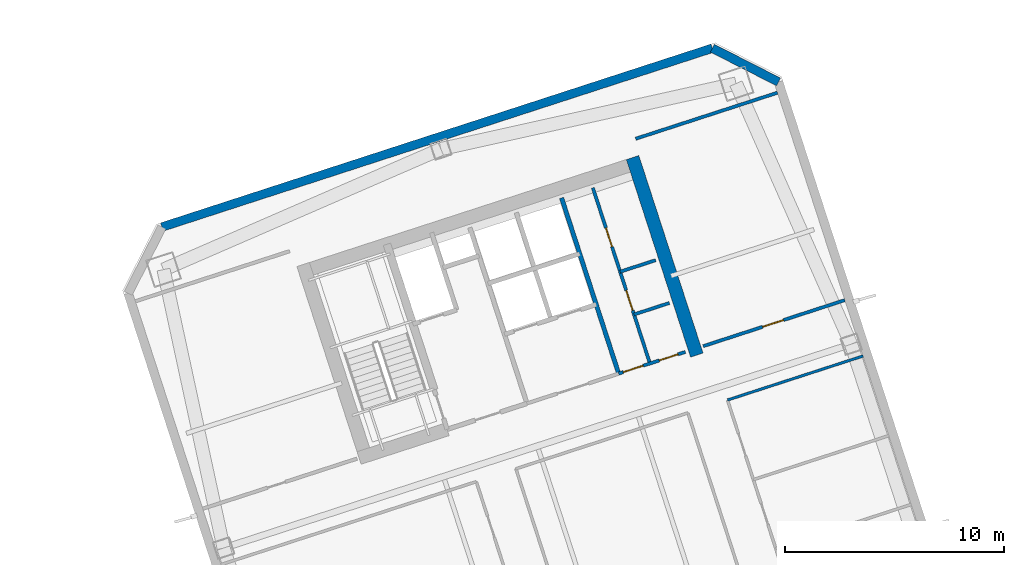
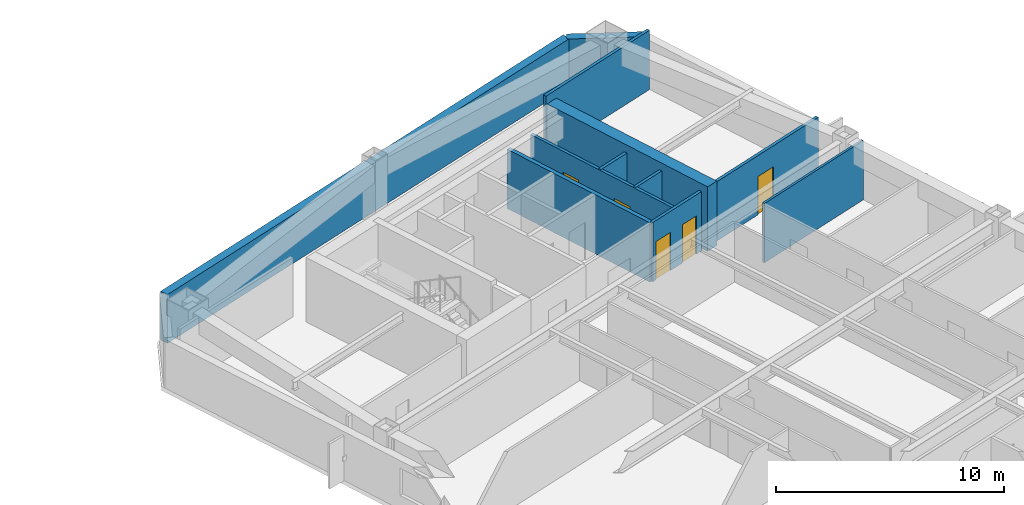
# One storey, part 10 of 17: 11 walls, 5 doors, 5 openings.
"""IFC4 building model written with IfcOpenShell, lengths in metres."""

import ifcopenshell
import ifcopenshell.guid

model = None  # the IFC model being written
_history = None  # IfcOwnerHistory: only IFC2X3 demands one
_inside = {}  # id of a spatial element -> (the spatial element, [elements in it])
_under = {}  # id of a project, library or spatial element -> (it, [spatial elements below it])
_declared = {}  # id of a project -> (the project, [libraries it declares])
_typed = {}  # id of a type object -> (the type object, [elements of that type])
_made_of = {}  # id of a material, layer set ... -> (it, [elements and type objects made of it])


def new_model(schema):
    """Start an empty IFC model of exactly this schema.

    Asked for "IFC4X3", IfcOpenShell would pick the latest addendum, in which some entities
    have other attributes; the version numbers below select the first issue.
    IFC2X3 requires an IfcOwnerHistory on every rooted entity: one is made here for all.
    """
    global model, _history
    if schema == "IFC4X3":
        model = ifcopenshell.file(schema_version=(4, 3, 0, 0))
    else:
        model = ifcopenshell.file(schema=schema)
    _inside.clear()
    _under.clear()
    _declared.clear()
    _typed.clear()
    _made_of.clear()
    _history = None
    if model.schema == "IFC2X3":
        org = make("IfcOrganization", Name="unknown")
        user = make(
            "IfcPersonAndOrganization",
            ThePerson=make("IfcPerson", FamilyName="unknown"),
            TheOrganization=org,
        )
        app = make(
            "IfcApplication",
            ApplicationDeveloper=org,
            Version="unknown",
            ApplicationFullName="unknown",
            ApplicationIdentifier="unknown",
        )
        _history = make(
            "IfcOwnerHistory",
            OwningUser=user,
            OwningApplication=app,
            ChangeAction="ADDED",
            CreationDate=0,
        )
    return model


def make(cls, **values):
    """One entity of the class cls with the attributes given. An attribute that is None is left unset."""
    return model.create_entity(
        cls, **{name: value for name, value in values.items() if value is not None}
    )


def rooted(cls, **values):
    """An entity with a GlobalId (a new one), such as an element, a storey or a relation."""
    return make(cls, GlobalId=ifcopenshell.guid.new(), OwnerHistory=_history, **values)


def si_unit(unit_type, name, prefix=None):
    """IfcSIUnit, for example si_unit("LENGTHUNIT", "METRE", prefix="MILLI")."""
    return make("IfcSIUnit", UnitType=unit_type, Prefix=prefix, Name=name)


def assignment(units):
    """IfcUnitAssignment: the units of a project."""
    return None if units is None else make("IfcUnitAssignment", Units=units)


def point(xyz):
    """IfcCartesianPoint."""
    return None if xyz is None else make("IfcCartesianPoint", Coordinates=xyz)


def direction(xyz):
    """IfcDirection."""
    return None if xyz is None else make("IfcDirection", DirectionRatios=xyz)


def frame(location, z_axis=None, x_axis=None):
    """IfcAxis2Placement3D, a coordinate frame: its origin and axes. An axis left out is left unset."""
    return make(
        "IfcAxis2Placement3D",
        Location=point(location),
        Axis=direction(z_axis),
        RefDirection=direction(x_axis),
    )


def frame_2d(location, x_axis=None):
    """IfcAxis2Placement2D, a coordinate frame in the plane: its origin and x axis."""
    return make(
        "IfcAxis2Placement2D", Location=point(location), RefDirection=direction(x_axis)
    )


def origin():
    """The frame at (0, 0, 0) with its axes left unset."""
    return frame((0.0, 0.0, 0.0))


def place(relative_to, where):
    """IfcLocalPlacement: puts the frame where relative to a parent placement (None: the world)."""
    return make(
        "IfcLocalPlacement", PlacementRelTo=relative_to, RelativePlacement=where
    )


def context(
    kind, dimensions, precision=None, world=None, true_north=None, identifier=None
):
    """IfcGeometricRepresentationContext, for example the 3D "Model" context."""
    return make(
        "IfcGeometricRepresentationContext",
        ContextIdentifier=identifier,
        ContextType=kind,
        CoordinateSpaceDimension=dimensions,
        Precision=precision,
        WorldCoordinateSystem=world,
        TrueNorth=true_north,
    )


def subcontext(parent, identifier, kind, view, scale=None):
    """IfcGeometricRepresentationSubContext, for example "Body" below "Model"."""
    return make(
        "IfcGeometricRepresentationSubContext",
        ContextIdentifier=identifier,
        ContextType=kind,
        ParentContext=parent,
        TargetScale=scale,
        TargetView=view,
    )


def project(units=None, contexts=None):
    """IfcProject with its units and contexts."""
    return rooted(
        "IfcProject",
        Name="project",
        RepresentationContexts=contexts,
        UnitsInContext=assignment(units),
    )


def spatial(cls, under=None, at=None, **own):
    """A site, building, storey or space (cls), placed at a placement, below another one or the project."""
    s = rooted(cls, ObjectPlacement=at, **own)
    if under is not None:
        _under.setdefault(under.id(), (under, []))[1].append(s)
    return s


def profile(cls, at=None, kind="AREA", **sizes):
    """A parametric profile (cls). Its sizes go by their IFC names, for example OverallWidth=200.0."""
    return make(cls, ProfileType=kind, Position=at, **sizes)


def rectangle(**sizes):
    """IfcRectangleProfileDef."""
    return profile("IfcRectangleProfileDef", **sizes)


def extrude(swept, where, along, depth):
    """IfcExtrudedAreaSolid: the profile swept, set in the frame where, extruded along a direction by depth."""
    return make(
        "IfcExtrudedAreaSolid",
        SweptArea=swept,
        Position=where,
        ExtrudedDirection=direction(along),
        Depth=depth,
    )


def shape(context_of_items, identifier, shape_type, items):
    """IfcShapeRepresentation: the items that make up one representation, for example the "Body"."""
    return make(
        "IfcShapeRepresentation",
        ContextOfItems=context_of_items,
        RepresentationIdentifier=identifier,
        RepresentationType=shape_type,
        Items=items,
    )


def material(Name=None, Category=None):
    """IfcMaterial."""
    return make("IfcMaterial", Name=Name, Category=Category)


def layer(
    of_material, thickness, ventilated=None, Name=None, Category=None, Priority=None
):
    """IfcMaterialLayer: one layer of a wall or slab, of a material (None: an air gap)."""
    return make(
        "IfcMaterialLayer",
        Material=of_material,
        LayerThickness=thickness,
        IsVentilated=ventilated,
        Name=Name,
        Category=Category,
        Priority=Priority,
    )


def layer_set(layers, Name=None):
    """IfcMaterialLayerSet."""
    return make("IfcMaterialLayerSet", MaterialLayers=layers, LayerSetName=Name)


def made_of(thing, what):
    """Note that an element or type object is made of a material, layer set ...; save() writes the relation."""
    if what is not None:
        _made_of.setdefault(what.id(), (what, []))[1].append(thing)
    return thing


def type_object(cls, material=None, **own):
    """A type object (cls), such as IfcWallType, which elements share."""
    return made_of(rooted(cls, **own), material)


def element(
    cls,
    number,
    at=None,
    inside=None,
    cuts=None,
    type_object=None,
    material=None,
    context=None,
    identifier="Body",
    shape_type=None,
    held_by="IfcProductDefinitionShape",
    body=None,
    shapes=None,
    **own,
):
    """One element of the class cls, such as IfcWall. Its Tag is "e" and its number.

    at: its placement. inside: the storey or other place that contains it. cuts: it is an
    opening in that element (IfcRelVoidsElement). A single representation is given by context,
    identifier, shape_type and body (its items); several are given by shapes. held_by: the class
    of the entity that holds the representations. save() writes the other relations.
    """
    e = rooted(cls, Tag="e%d" % number, ObjectPlacement=at, **own)
    if body is not None:
        shapes = [shape(context, identifier, shape_type, body)]
    if shapes is not None:
        e.Representation = make(held_by, Representations=shapes)
    if inside is not None:
        _inside.setdefault(inside.id(), (inside, []))[1].append(e)
    if cuts is not None:
        rooted(
            "IfcRelVoidsElement", RelatingBuildingElement=cuts, RelatedOpeningElement=e
        )
    if type_object is not None:
        _typed.setdefault(type_object.id(), (type_object, []))[1].append(e)
    return made_of(e, material)


def fill(opening, filler):
    """IfcRelFillsElement: the door or window that sits in an opening."""
    return rooted(
        "IfcRelFillsElement",
        RelatingOpeningElement=opening,
        RelatedBuildingElement=filler,
    )


def aggregate(whole, parts):
    """IfcRelAggregates: a whole, such as a stair, and the parts it consists of."""
    return rooted("IfcRelAggregates", RelatingObject=whole, RelatedObjects=parts)


def save(model, path):
    """Write the relations noted so far, then the file.

    IfcRelAggregates (storeys below a building ...), IfcRelContainedInSpatialStructure (elements
    in a storey), IfcRelDefinesByType, IfcRelAssociatesMaterial and IfcRelDeclares: one each for
    every whole, place, type object, material and project.
    """
    for whole, parts in _under.values():
        aggregate(whole, parts)
    for where, things in _inside.values():
        rooted(
            "IfcRelContainedInSpatialStructure",
            RelatedElements=things,
            RelatingStructure=where,
        )
    for kind, things in _typed.values():
        rooted("IfcRelDefinesByType", RelatedObjects=things, RelatingType=kind)
    for what, things in _made_of.values():
        rooted("IfcRelAssociatesMaterial", RelatedObjects=things, RelatingMaterial=what)
    for by, libraries in _declared.values():
        rooted("IfcRelDeclares", RelatingContext=by, RelatedDefinitions=libraries)
    model.write(path)


model = new_model("IFC4")

# Units and contexts
model_context = context("Model", 3, precision=1e-05, world=origin(), true_north=direction((0.0, 1.0)))
body_context = subcontext(model_context, "Body", "Model", "MODEL_VIEW")
ifc_project = project(units=[si_unit("LENGTHUNIT", "METRE"), si_unit("AREAUNIT", "SQUARE_METRE"), si_unit("VOLUMEUNIT", "CUBIC_METRE"), si_unit("PLANEANGLEUNIT", "RADIAN"), si_unit("MASSUNIT", "GRAM", prefix="KILO")], contexts=[model_context])

# Site, building, storey
site_placement = place(None, origin())
site = spatial("IfcSite", under=ifc_project, at=site_placement, CompositionType="ELEMENT")
building_placement = place(site_placement, origin())
building = spatial("IfcBuilding", under=site, at=building_placement, Name="Qiaolan Cultural Towers", CompositionType="ELEMENT")
storey_placement = place(building_placement, frame((0.0, 0.0, 152.949951171875)))
storey = spatial("IfcBuildingStorey", under=building, at=storey_placement, Name="L40", CompositionType="ELEMENT", Elevation=152.949951171875)

# Walls
ifc_material_1 = material(Name="Concrete C55", Category="concrete")
ifc_layer_1 = layer(ifc_material_1, 0.60009765625)
ifc_layer_set_1 = layer_set([ifc_layer_1], Name="Concrete C55")
wall_type_1 = type_object("IfcWallType", Name="WL-CORE-600", PredefinedType="SHEAR", material=ifc_layer_set_1)
wall_1_placement = place(storey_placement, frame((94.4921875, 46.710205078125, 0.0), z_axis=(0.0, 0.0, 1.0), x_axis=(-0.309010370028, 0.95105866865, 0.0)))
element("IfcWall", 1, at=wall_1_placement, inside=storey, type_object=wall_type_1, Name="L40 T2-CN East Core Shear Wall", PredefinedType="SHEAR", context=body_context, shape_type="SweptSolid", body=[
    extrude(rectangle(XDim=9.47998046875, YDim=0.60009765625, at=frame_2d((4.739990234375, 0.0))), origin(), (0.0, 0.0, 1.0), 3.449951171875),
])
ifc_material_2 = material(Name="Precast Concrete C50 Honed Stone Pier", Category="masonry")
ifc_layer_2 = layer(ifc_material_2, 0.39990234375)
ifc_layer_set_2 = layer_set([ifc_layer_2], Name="Precast Concrete C50 Honed Stone Pier")
wall_type_2 = type_object("IfcWallType", Name="WL-EXT-PIER-400", PredefinedType="SOLIDWALL", material=ifc_layer_set_2)
wall_2_placement = place(storey_placement, frame((70.091552734375, 52.55615234375, 0.0), z_axis=(0.0, 0.0, 1.0), x_axis=(0.951057580055, 0.30901372044, 0.0)))
element("IfcWall", 2, at=wall_2_placement, inside=storey, type_object=wall_type_2, Name="L40 East Tower Precast Pier Facade Wall F3", PredefinedType="SOLIDWALL", context=body_context, shape_type="SweptSolid", body=[
    extrude(rectangle(XDim=26.39990234375, YDim=0.39990234375, at=frame_2d((13.199951171875, 0.0))), origin(), (0.0, 0.0, 1.0), 2.610107421875),
])
wall_3_placement = place(storey_placement, frame((95.199462890625, 60.714111328125, 0.0), z_axis=(0.0, 0.0, 1.0), x_axis=(0.891020832027, -0.453962417932, 0.0)))
element("IfcWall", 3, at=wall_3_placement, inside=storey, type_object=wall_type_2, Name="L40 East Tower Precast Pier Facade Wall F4", PredefinedType="SOLIDWALL", context=body_context, shape_type="SweptSolid", body=[
    extrude(rectangle(XDim=3.39404296875, YDim=0.39990234375, at=frame_2d((1.697021484375, 0.0))), origin(), (0.0, 0.0, 1.0), 2.610107421875),
])
ifc_material_3 = material(Name="Concrete C35 Fire Wall", Category="concrete")
ifc_layer_3 = layer(ifc_material_3, 0.199951171875)
ifc_layer_set_3 = layer_set([ifc_layer_3], Name="Concrete C35 Fire Wall")
wall_type_3 = type_object("IfcWallType", Name="WL-FIRE-200", PredefinedType="PARTITIONING", material=ifc_layer_set_3)
wall_4_placement = place(storey_placement, frame((90.92822265625, 45.86767578125, 0.0), z_axis=(0.0, 0.0, 1.0), x_axis=(-0.309042196757, 0.951048327176, 0.0)))
element("IfcWall", 4, at=wall_4_placement, inside=storey, type_object=wall_type_3, Name="L40 T2-CN Lift Core East Wall", PredefinedType="PARTITIONING", context=body_context, shape_type="SweptSolid", body=[
    extrude(rectangle(XDim=8.429931640625, YDim=0.199951171875, at=frame_2d((4.21484375, 0.0))), origin(), (0.0, 0.0, 1.0), 3.175048828125),
])
ifc_material_4 = material(Name="Gypsum Stud Acoustic Partition", Category="gypsum")
ifc_layer_4 = layer(ifc_material_4, 0.1201171875)
ifc_layer_set_4 = layer_set([ifc_layer_4], Name="Gypsum Stud Acoustic Partition")
wall_type_4 = type_object("IfcWallType", Name="WL-PART-120", PredefinedType="PARTITIONING", material=ifc_layer_set_4)
wall_5_placement = place(storey_placement, frame((95.893310546875, 44.6630859375, 0.0), z_axis=(0.0, 0.0, 1.0), x_axis=(0.951059735424, 0.30900708674, 0.0)))
element("IfcWall", 5, at=wall_5_placement, inside=storey, type_object=wall_type_4, Name="L40 T2 Interior Wall", PredefinedType="PARTITIONING", context=body_context, shape_type="SweptSolid", body=[
    extrude(rectangle(XDim=6.5, YDim=0.1201171875, at=frame_2d((3.25, 0.0))), origin(), (0.0, 0.0, 1.0), 3.175048828125),
])

# Wall, openings, doors
ifc_material_5 = material(Name="Autoclaved Aerated Concrete Block B06", Category="concrete")
ifc_layer_5 = layer(ifc_material_5, 0.14990234375)
ifc_layer_set_5 = layer_set([ifc_layer_5], Name="Autoclaved Aerated Concrete Block B06")
wall_type_5 = type_object("IfcWallType", Name="WL-PART-150", PredefinedType="PARTITIONING", material=ifc_layer_set_5)
wall_6_placement = place(storey_placement, frame((90.92822265625, 45.86767578125, 0.0), z_axis=(0.0, 0.0, 1.0), x_axis=(0.951059297078, 0.309008435874, 0.0)))
wall_6 = element("IfcWall", 6, at=wall_6_placement, inside=storey, type_object=wall_type_5, Name="L40 T2-CN Sanitary Core Front Wall", PredefinedType="PARTITIONING", context=body_context, shape_type="SweptSolid", body=[
    extrude(rectangle(XDim=3.19970703125, YDim=0.14990234375, at=frame_2d((1.599853515625, 0.0))), origin(), (0.0, 0.0, 1.0), 3.175048828125),
])
opening_1_placement = place(wall_6_placement, frame((0.219970703125, 0.0, 0.0)))
opening_1 = element("IfcOpeningElement", 7, at=opening_1_placement, cuts=wall_6, Name="Opening ID-05", PredefinedType="OPENING", context=body_context, shape_type="SweptSolid", body=[
    extrude(rectangle(XDim=0.949951171875, YDim=2.050048828125, at=frame_2d((0.47509765625, 1.02490234375))), frame((0.0, 0.0849609375, 0.0), z_axis=(0.0, -1.0, 0.0), x_axis=(1.0, 0.0, 0.0)), (0.0, 0.0, 1.0), 0.169921875),
])
opening_2_placement = place(wall_6_placement, frame((1.949951171875, 0.0, 0.0)))
opening_2 = element("IfcOpeningElement", 8, at=opening_2_placement, cuts=wall_6, Name="Opening ID-06", PredefinedType="OPENING", context=body_context, shape_type="SweptSolid", body=[
    extrude(rectangle(XDim=0.89990234375, YDim=2.050048828125, at=frame_2d((0.449951171875, 1.02490234375))), frame((0.0, 0.0849609375, 0.0), z_axis=(0.0, -1.0, 0.0), x_axis=(1.0, 0.0, 0.0)), (0.0, 0.0, 1.0), 0.169921875),
])
ifc_material_6 = material(Name="Fire-Rated Laminate Core Service Door", Category="timber")
door_type_1 = type_object("IfcDoorType", Name="DR-INT-900", OperationType="NOTDEFINED", PredefinedType="DOOR", material=ifc_material_6)
door_1_placement = place(opening_2_placement, origin())
door_1 = element("IfcDoor", 9, at=door_1_placement, inside=storey, type_object=door_type_1, Name="L40 Core Tea Pantry Door", OperationType="SINGLE_SWING_RIGHT", OverallHeight=2.050048828125, OverallWidth=0.89990234375, PredefinedType="DOOR", context=body_context, shape_type="SweptSolid", body=[
    extrude(rectangle(XDim=0.89990234375, YDim=2.050048828125, at=frame_2d((0.449951171875, 1.02490234375))), frame((0.0, 0.02490234375, 0.0), z_axis=(0.0, -1.0, 0.0), x_axis=(1.0, 0.0, 0.0)), (0.0, 0.0, 1.0), 0.050048828125),
])
fill(opening_2, door_1)
ifc_material_7 = material(Name="Fire-Rated Laminate Accessible Core Door", Category="timber")
door_type_2 = type_object("IfcDoorType", Name="DR-INT-950", OperationType="NOTDEFINED", PredefinedType="DOOR", material=ifc_material_7)
door_2_placement = place(opening_1_placement, origin())
door_2 = element("IfcDoor", 10, at=door_2_placement, inside=storey, type_object=door_type_2, Name="L40 Sanitary Passage Door", OperationType="SINGLE_SWING_LEFT", OverallHeight=2.050048828125, OverallWidth=0.949951171875, PredefinedType="DOOR", context=body_context, shape_type="SweptSolid", body=[
    extrude(rectangle(XDim=0.949951171875, YDim=2.050048828125, at=frame_2d((0.47509765625, 1.02490234375))), frame((0.0, 0.02490234375, 0.0), z_axis=(0.0, -1.0, 0.0), x_axis=(1.0, 0.0, 0.0)), (0.0, 0.0, 1.0), 0.050048828125),
])
fill(opening_1, door_2)

wall_7_placement = place(storey_placement, frame((92.354736328125, 46.3310546875, 0.0), z_axis=(0.0, 0.0, 1.0), x_axis=(-0.309007490203, 0.951059604335, 0.0)))
wall_7 = element("IfcWall", 11, at=wall_7_placement, inside=storey, type_object=wall_type_5, Name="L40 T2-CN Sanitary Corridor Wall", PredefinedType="PARTITIONING", context=body_context, shape_type="SweptSolid", body=[
    extrude(rectangle(XDim=8.43017578125, YDim=0.14990234375, at=frame_2d((4.215087890625, 0.0))), origin(), (0.0, 0.0, 1.0), 3.175048828125),
])
opening_3_placement = place(wall_7_placement, frame((2.550048828125, 0.0, 0.0)))
opening_3 = element("IfcOpeningElement", 12, at=opening_3_placement, cuts=wall_7, Name="Opening ID-05", PredefinedType="OPENING", context=body_context, shape_type="SweptSolid", body=[
    extrude(rectangle(XDim=0.949951171875, YDim=2.050048828125, at=frame_2d((0.47509765625, 1.02490234375))), frame((0.0, 0.0849609375, 0.0), z_axis=(0.0, -1.0, 0.0), x_axis=(1.0, 0.0, 0.0)), (0.0, 0.0, 1.0), 0.169921875),
])
opening_4_placement = place(wall_7_placement, frame((5.60009765625, 0.0, 0.0)))
opening_4 = element("IfcOpeningElement", 13, at=opening_4_placement, cuts=wall_7, Name="Opening ID-06", PredefinedType="OPENING", context=body_context, shape_type="SweptSolid", body=[
    extrude(rectangle(XDim=0.89990234375, YDim=2.050048828125, at=frame_2d((0.449951171875, 1.02490234375))), frame((0.0, 0.0849609375, 0.0), z_axis=(0.0, -1.0, 0.0), x_axis=(1.0, 0.0, 0.0)), (0.0, 0.0, 1.0), 0.169921875),
])
door_3_placement = place(opening_4_placement, origin())
door_3 = element("IfcDoor", 14, at=door_3_placement, inside=storey, type_object=door_type_1, Name="L40 Staff Restroom Door", OperationType="SINGLE_SWING_RIGHT", OverallHeight=2.050048828125, OverallWidth=0.89990234375, PredefinedType="DOOR", context=body_context, shape_type="SweptSolid", body=[
    extrude(rectangle(XDim=0.89990234375, YDim=2.050048828125, at=frame_2d((0.449951171875, 1.02490234375))), frame((0.0, 0.02490234375, 0.0), z_axis=(0.0, -1.0, 0.0), x_axis=(1.0, 0.0, 0.0)), (0.0, 0.0, 1.0), 0.050048828125),
])
fill(opening_4, door_3)
door_4_placement = place(opening_3_placement, origin())
door_4 = element("IfcDoor", 15, at=door_4_placement, inside=storey, type_object=door_type_2, Name="L40 Accessible Washroom Door", OperationType="SINGLE_SWING_LEFT", OverallHeight=2.050048828125, OverallWidth=0.949951171875, PredefinedType="DOOR", context=body_context, shape_type="SweptSolid", body=[
    extrude(rectangle(XDim=0.949951171875, YDim=2.050048828125, at=frame_2d((0.47509765625, 1.02490234375))), frame((0.0, 0.02490234375, 0.0), z_axis=(0.0, -1.0, 0.0), x_axis=(1.0, 0.0, 0.0)), (0.0, 0.0, 1.0), 0.050048828125),
])
fill(opening_3, door_4)

# Walls
wall_8_placement = place(storey_placement, frame((90.9951171875, 50.515869140625, 0.0), z_axis=(0.0, 0.0, 1.0), x_axis=(0.951040401051, 0.309066587596, 0.0)))
element("IfcWall", 16, at=wall_8_placement, inside=storey, type_object=wall_type_5, Name="L40 T2-CN Restroom Split Wall", PredefinedType="PARTITIONING", context=body_context, shape_type="SweptSolid", body=[
    extrude(rectangle(XDim=1.699951171875, YDim=0.14990234375, at=frame_2d((0.85009765625, 0.0))), origin(), (0.0, 0.0, 1.0), 3.175048828125),
])
wall_9_placement = place(storey_placement, frame((91.62841796875, 48.566162109375, 0.0), z_axis=(0.0, 0.0, 1.0), x_axis=(0.951054116971, 0.309024378638, 0.0)))
element("IfcWall", 17, at=wall_9_placement, inside=storey, type_object=wall_type_5, Name="L40 T2-CN Core Pantry Wall", PredefinedType="PARTITIONING", context=body_context, shape_type="SweptSolid", body=[
    extrude(rectangle(XDim=1.7001953125, YDim=0.14990234375, at=frame_2d((0.85009765625, 0.0))), origin(), (0.0, 0.0, 1.0), 3.175048828125),
])
wall_10_placement = place(storey_placement, frame((91.705078125, 56.582275390625, 0.0), z_axis=(0.0, 0.0, 1.0), x_axis=(0.951057811516, 0.309013008068, 0.0)))
element("IfcWall", 18, at=wall_10_placement, inside=storey, type_object=wall_type_5, Name="L40 T2 Flank Wall FLK-NE", PredefinedType="PARTITIONING", context=body_context, shape_type="SweptSolid", body=[
    extrude(rectangle(XDim=6.800048828125, YDim=0.14990234375, at=frame_2d((3.39990234375, 0.0))), origin(), (0.0, 0.0, 1.0), 3.175048828125),
])

# Wall, opening, door
wall_11_placement = place(storey_placement, frame((94.77978515625, 47.119140625, 0.0), z_axis=(0.0, 0.0, 1.0), x_axis=(0.951057811516, 0.309013008068, 0.0)))
wall_11 = element("IfcWall", 19, at=wall_11_placement, inside=storey, type_object=wall_type_5, Name="L40 T2 Flank Front FLK-NE", PredefinedType="PARTITIONING", context=body_context, shape_type="SweptSolid", body=[
    extrude(rectangle(XDim=6.800048828125, YDim=0.14990234375, at=frame_2d((3.39990234375, 0.0))), origin(), (0.0, 0.0, 1.0), 3.175048828125),
])
opening_5_placement = place(wall_11_placement, frame((2.85595703125, 0.0, 0.0)))
opening_5 = element("IfcOpeningElement", 20, at=opening_5_placement, cuts=wall_11, Name="Opening ID-04", PredefinedType="OPENING", context=body_context, shape_type="SweptSolid", body=[
    extrude(rectangle(XDim=1.0, YDim=2.050048828125, at=frame_2d((0.5, 1.02490234375))), frame((0.0, 0.0849609375, 0.0), z_axis=(0.0, -1.0, 0.0), x_axis=(1.0, 0.0, 0.0)), (0.0, 0.0, 1.0), 0.169921875),
])
ifc_material_8 = material(Name="Oak Veneer Acoustic Office Door", Category="timber")
door_type_3 = type_object("IfcDoorType", Name="DR-INT-1000", OperationType="NOTDEFINED", PredefinedType="DOOR", material=ifc_material_8)
door_5_placement = place(opening_5_placement, origin())
door_5 = element("IfcDoor", 21, at=door_5_placement, inside=storey, type_object=door_type_3, Name="L40 T2 Corner Studio Door", OperationType="SINGLE_SWING_LEFT", OverallHeight=2.050048828125, OverallWidth=1.0, PredefinedType="DOOR", context=body_context, shape_type="SweptSolid", body=[
    extrude(rectangle(XDim=1.0, YDim=2.050048828125, at=frame_2d((0.5, 1.02490234375))), frame((0.0, 0.02490234375, 0.0), z_axis=(0.0, -1.0, 0.0), x_axis=(1.0, 0.0, 0.0)), (0.0, 0.0, 1.0), 0.050048828125),
])
fill(opening_5, door_5)

save(model, "model.ifc")
